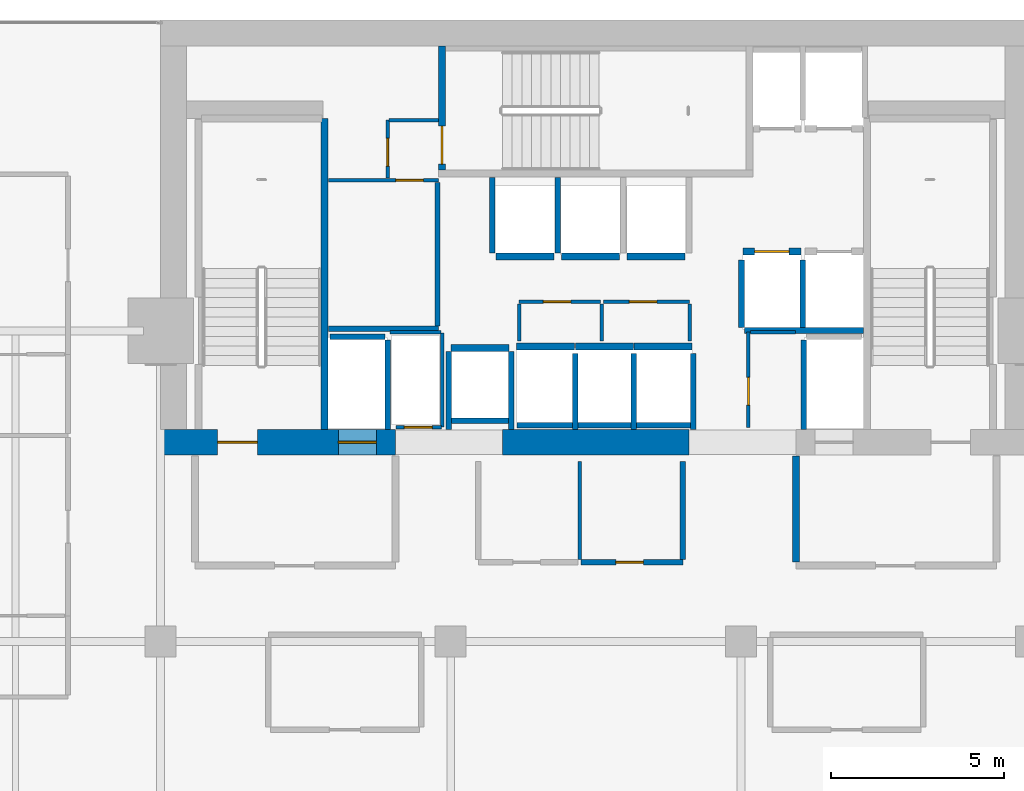
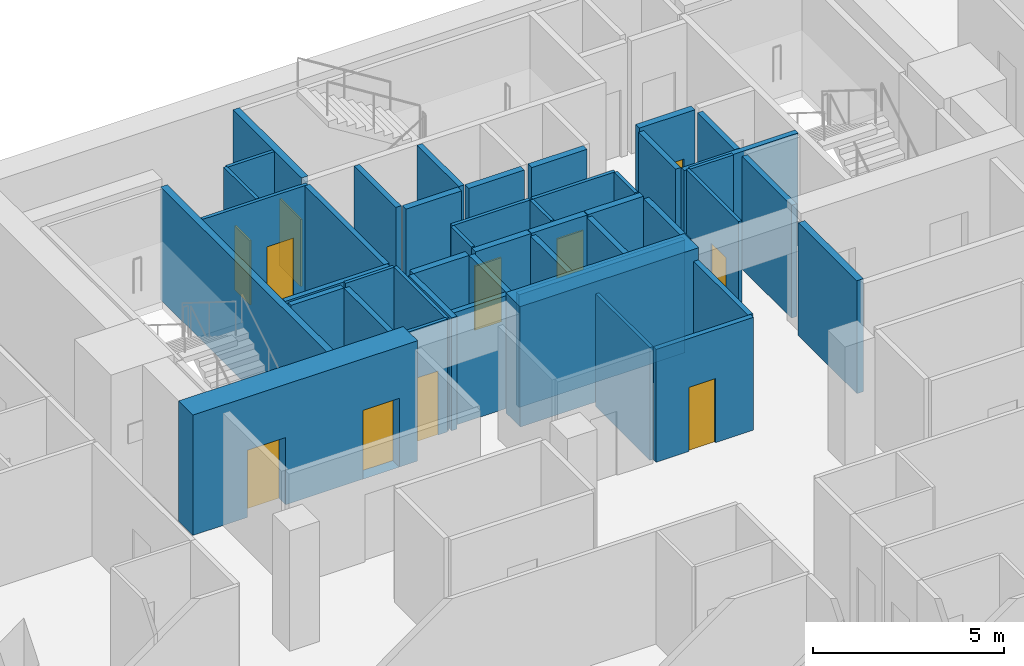
# One storey, part 30 of 34: 46 walls, 11 doors, 11 openings.
"""IFC4 building model written with IfcOpenShell, lengths in metres."""

from ifc_helpers import new_model, si_unit, direction, frame, frame_2d, origin, place, context, subcontext, project, spatial, rectangle, extrude, material, layer, layer_set, type_object, element, fill, save


model = new_model("IFC4")

# Units and contexts
model_context = context("Model", 3, precision=1e-05, world=origin(), true_north=direction((0.0, 1.0)))
body_context = subcontext(model_context, "Body", "Model", "MODEL_VIEW")
ifc_project = project(units=[si_unit("LENGTHUNIT", "METRE"), si_unit("AREAUNIT", "SQUARE_METRE"), si_unit("VOLUMEUNIT", "CUBIC_METRE"), si_unit("PLANEANGLEUNIT", "RADIAN"), si_unit("MASSUNIT", "GRAM", prefix="KILO")], contexts=[model_context])

# Site, building, storey
site_placement = place(None, origin())
site = spatial("IfcSite", under=ifc_project, at=site_placement, CompositionType="ELEMENT")
building_placement = place(site_placement, origin())
building = spatial("IfcBuilding", under=site, at=building_placement, Name="Maruvema Waterfront Hotel and Observation Tower", CompositionType="ELEMENT")
storey_placement = place(building_placement, frame((0.0, 0.0, 192.85009765625)))
storey = spatial("IfcBuildingStorey", under=building, at=storey_placement, Name="L47", CompositionType="ELEMENT", Elevation=192.85009765625)

# Walls
ifc_material_1 = material(Name="Twin-stud acoustic gypsum drywall", Category="gypsum")
ifc_layer_1 = layer(ifc_material_1, 0.14990234375, Name="Acoustic Corridor and Suite Demising Wall 150 mm")
ifc_layer_set_1 = layer_set([ifc_layer_1], Name="Twin-stud acoustic gypsum drywall")
wall_type_1 = type_object("IfcWallType", Name="Acoustic Corridor and Suite Demising Wall 150 mm", PredefinedType="PARTITIONING", material=ifc_layer_set_1)
wall_1_placement = place(storey_placement, frame((30.06005859375, 45.06005859375, 0.0), z_axis=(0.0, 0.0, 1.0), x_axis=(1.0, 0.0, 0.0)))
element("IfcWall", 1, at=wall_1_placement, inside=storey, type_object=wall_type_1, Name="L47 Freed B1 South Wall 017", PredefinedType="PARTITIONING", context=body_context, shape_type="SweptSolid", body=[
    extrude(rectangle(XDim=3.179931640625, YDim=0.14990234375, at=frame_2d((1.58984375, 0.0))), origin(), (0.0, 0.0, 1.0), 3.60986328125),
])
wall_2_placement = place(storey_placement, frame((33.219970703125, 45.139892578125, 0.0), z_axis=(0.0, 0.0, 1.0), x_axis=(0.0, 1.0, 0.0)))
element("IfcWall", 2, at=wall_2_placement, inside=storey, type_object=wall_type_1, Name="L47 Freed B1 East Wall 018", PredefinedType="PARTITIONING", context=body_context, shape_type="SweptSolid", body=[
    extrude(rectangle(XDim=4.16015625, YDim=0.14990234375, at=frame_2d((2.080078125, 0.0))), origin(), (0.0, 0.0, 1.0), 3.60986328125),
])

# Wall, opening, door
wall_3_placement = place(storey_placement, frame((37.3798828125, 38.300048828125, 0.0), z_axis=(0.0, 0.0, 1.0), x_axis=(1.0, 0.0, 0.0)))
wall_3 = element("IfcWall", 3, at=wall_3_placement, inside=storey, type_object=wall_type_1, Name="L47 Core Apron K2B South 023", PredefinedType="PARTITIONING", context=body_context, shape_type="SweptSolid", body=[
    extrude(rectangle(XDim=2.940185546875, YDim=0.14990234375, at=frame_2d((1.47021484375, 0.0))), origin(), (0.0, 0.0, 1.0), 3.60986328125),
])
opening_1_placement = place(wall_3_placement, frame((1.0, 0.0, 0.0)))
opening_1 = element("IfcOpeningElement", 4, at=opening_1_placement, cuts=wall_3, Name="Opening DR-080", PredefinedType="OPENING", context=body_context, shape_type="SweptSolid", body=[
    extrude(rectangle(XDim=0.800048828125, YDim=2.050048828125, at=frame_2d((0.39990234375, 1.02490234375))), frame((0.0, 0.0849609375, 0.0), z_axis=(0.0, -1.0, 0.0), x_axis=(1.0, 0.0, 0.0)), (0.0, 0.0, 1.0), 0.169921875),
])
ifc_material_2 = material(Name="Powder-coated steel access leaf", Category="steel")
door_type_1 = type_object("IfcDoorType", Name="Riser and Service Cupboard Door 800x2050 mm", OperationType="NOTDEFINED", PredefinedType="DOOR", material=ifc_material_2)
door_1_placement = place(opening_1_placement, frame((0.800048828125, 0.0, 0.0), z_axis=(0.0, 0.0, 1.0), x_axis=(-1.0, 0.0, 0.0)))
door_1 = element("IfcDoor", 5, at=door_1_placement, inside=storey, type_object=door_type_1, Name="L47 Core Valet Closet Door", OperationType="SINGLE_SWING_RIGHT", OverallHeight=2.050048828125, OverallWidth=0.800048828125, PredefinedType="DOOR", context=body_context, shape_type="SweptSolid", body=[
    extrude(rectangle(XDim=0.800048828125, YDim=2.050048828125, at=frame_2d((0.39990234375, 1.02490234375))), frame((0.0, 0.02490234375, 0.0), z_axis=(0.0, -1.0, 0.0), x_axis=(1.0, 0.0, 0.0)), (0.0, 0.0, 1.0), 0.050048828125),
])
fill(opening_1, door_1)

# Walls
wall_4_placement = place(storey_placement, frame((40.320068359375, 38.3798828125, 0.0), z_axis=(0.0, 0.0, 1.0), x_axis=(0.0, 1.0, 0.0)))
element("IfcWall", 6, at=wall_4_placement, inside=storey, type_object=wall_type_1, Name="L47 Core Apron K2 East 026", PredefinedType="PARTITIONING", context=body_context, shape_type="SweptSolid", body=[
    extrude(rectangle(XDim=2.840087890625, YDim=0.14990234375, at=frame_2d((1.419921875, 0.0))), origin(), (0.0, 0.0, 1.0), 3.60986328125),
])
ifc_material_3 = material(Name="Precast concrete C45/55", Category="concrete")
ifc_layer_2 = layer(ifc_material_3, 0.199951171875, Name="Core Shaft and Stairwell Enclosure Wall 200 mm")
ifc_layer_set_2 = layer_set([ifc_layer_2], Name="Precast concrete C45/55")
wall_type_2 = type_object("IfcWallType", Name="Core Shaft and Stairwell Enclosure Wall 200 mm", PredefinedType="SOLIDWALL", material=ifc_layer_set_2)
wall_5_placement = place(storey_placement, frame((29.949951171875, 42.14990234375, 0.0), z_axis=(0.0, 0.0, 1.0), x_axis=(0.0, 1.0, 0.0)))
element("IfcWall", 7, at=wall_5_placement, inside=storey, type_object=wall_type_2, Name="L47 Stairwell ST-01 East Shaft Wall", PredefinedType="SOLIDWALL", context=body_context, shape_type="SweptSolid", body=[
    extrude(rectangle(XDim=9.0, YDim=0.199951171875, at=frame_2d((4.5, 0.0))), origin(), (0.0, 0.0, 1.0), 3.60986328125),
])

# Wall, opening, door
wall_6_placement = place(storey_placement, frame((33.35009765625, 49.64990234375, 0.0), z_axis=(0.0, 0.0, 1.0), x_axis=(0.0, 1.0, 0.0)))
wall_6 = element("IfcWall", 8, at=wall_6_placement, inside=storey, type_object=wall_type_2, Name="L47 Stairwell ST-02 Shaft Wall", PredefinedType="SOLIDWALL", context=body_context, shape_type="SweptSolid", body=[
    extrude(rectangle(XDim=3.60009765625, YDim=0.199951171875, at=frame_2d((1.800048828125, 0.0))), origin(), (0.0, 0.0, 1.0), 3.60986328125),
])
opening_2_placement = place(wall_6_placement, frame((0.179931640625, 0.0, 0.0)))
opening_2 = element("IfcOpeningElement", 9, at=opening_2_placement, cuts=wall_6, Name="Opening SD-02", PredefinedType="OPENING", context=body_context, shape_type="SweptSolid", body=[
    extrude(rectangle(XDim=1.10009765625, YDim=2.14990234375, at=frame_2d((0.550048828125, 1.074951171875))), frame((0.0, 0.10986328125, 0.0), z_axis=(0.0, -1.0, 0.0), x_axis=(1.0, 0.0, 0.0)), (0.0, 0.0, 1.0), 0.219970703125),
])
ifc_material_4 = material(Name="Fire-rated galvanised steel leaf", Category="steel")
door_type_2 = type_object("IfcDoorType", Name="Central Exit Stair Fire Door 1100x2150 mm", OperationType="NOTDEFINED", PredefinedType="DOOR", material=ifc_material_4)
door_2_placement = place(opening_2_placement, frame((1.10009765625, 0.0, 0.0), z_axis=(0.0, 0.0, 1.0), x_axis=(-1.0, 0.0, 0.0)))
door_2 = element("IfcDoor", 10, at=door_2_placement, inside=storey, type_object=door_type_2, Name="L47 Exit Stair ST-02 Fire Door", OperationType="SINGLE_SWING_LEFT", OverallHeight=2.14990234375, OverallWidth=1.10009765625, PredefinedType="DOOR", context=body_context, shape_type="SweptSolid", body=[
    extrude(rectangle(XDim=1.10009765625, YDim=2.14990234375, at=frame_2d((0.550048828125, 1.074951171875))), frame((0.0, 0.02490234375, 0.0), z_axis=(0.0, -1.0, 0.0), x_axis=(1.0, 0.0, 0.0)), (0.0, 0.0, 1.0), 0.050048828125),
])
fill(opening_2, door_2)

wall_7_placement = place(storey_placement, frame((42.06005859375, 47.300048828125, 0.0), z_axis=(0.0, 0.0, 1.0), x_axis=(1.0, 0.0, 0.0)))
wall_7 = element("IfcWall", 11, at=wall_7_placement, inside=storey, type_object=wall_type_2, Name="L47 Lift LF-05 Hoistway Front Wall", PredefinedType="SOLIDWALL", context=body_context, shape_type="SweptSolid", body=[
    extrude(rectangle(XDim=1.679931640625, YDim=0.199951171875, at=frame_2d((0.83984375, 0.0))), origin(), (0.0, 0.0, 1.0), 3.60986328125),
])
opening_3_placement = place(wall_7_placement, frame((0.340087890625, 0.0, 0.0)))
opening_3 = element("IfcOpeningElement", 12, at=opening_3_placement, cuts=wall_7, Name="Opening LD-01", PredefinedType="OPENING", context=body_context, shape_type="SweptSolid", body=[
    extrude(rectangle(XDim=1.0, YDim=2.14990234375, at=frame_2d((0.5, 1.074951171875))), frame((0.0, 0.10986328125, 0.0), z_axis=(0.0, -1.0, 0.0), x_axis=(1.0, 0.0, 0.0)), (0.0, 0.0, 1.0), 0.219970703125),
])
ifc_material_5 = material(Name="Brushed stainless steel Grade 316", Category="steel")
door_type_3 = type_object("IfcDoorType", Name="Passenger Lift Sliding Landing Door 1000x2150 mm", OperationType="SLIDING_TO_LEFT", PredefinedType="DOOR", material=ifc_material_5)
door_3_placement = place(opening_3_placement, origin())
door_3 = element("IfcDoor", 13, at=door_3_placement, inside=storey, type_object=door_type_3, Name="L47 Lift LF-05 Sliding Landing Door", OperationType="SLIDING_TO_LEFT", OverallHeight=2.14990234375, OverallWidth=1.0, PredefinedType="DOOR", context=body_context, shape_type="SweptSolid", body=[
    extrude(rectangle(XDim=1.0, YDim=2.14990234375, at=frame_2d((0.5, 1.074951171875))), frame((0.0, 0.02490234375, 0.0), z_axis=(0.0, -1.0, 0.0), x_axis=(1.0, 0.0, 0.0)), (0.0, 0.0, 1.0), 0.050048828125),
])
fill(opening_3, door_3)

# Walls
for number, where, z_axis, x_axis, name in (
    (14, (35.510009765625, 44.550048828125, 0.0), (0.0, 0.0, 1.0), (1.0, 0.0, 0.0), "L47 Lift LF-09 Hoistway Front Wall"),
    (15, (37.2099609375, 44.550048828125, 0.0), (0.0, 0.0, 1.0), (1.0, 0.0, 0.0), "L47 Lift LF-10 Hoistway Front Wall"),
):
    element("IfcWall", number, at=place(storey_placement, frame(where, z_axis=z_axis, x_axis=x_axis)), inside=storey, type_object=wall_type_2, Name=name, PredefinedType="SOLIDWALL", context=body_context, shape_type="SweptSolid", body=[
        extrude(rectangle(XDim=1.679931640625, YDim=0.199951171875, at=frame_2d((0.83984375, 0.0))), origin(), (0.0, 0.0, 1.0), 3.60986328125),
    ])
for number, where, z_axis, x_axis, name in (
    (16, (38.909912109375, 44.550048828125, 0.0), (0.0, 0.0, 1.0), (1.0, 0.0, 0.0), "L47 Lift LF-11 Hoistway Front Wall"),
    (17, (34.909912109375, 47.14990234375, 0.0), (0.0, 0.0, 1.0), (1.0, 0.0, 0.0), "L47 Lift LF-12 Hoistway Front Wall"),
):
    element("IfcWall", number, at=place(storey_placement, frame(where, z_axis=z_axis, x_axis=x_axis)), inside=storey, type_object=wall_type_2, Name=name, PredefinedType="SOLIDWALL", context=body_context, shape_type="SweptSolid", body=[
        extrude(rectangle(XDim=1.68017578125, YDim=0.199951171875, at=frame_2d((0.840087890625, 0.0))), origin(), (0.0, 0.0, 1.0), 3.60986328125),
    ])
for number, where, z_axis, x_axis, name in (
    (18, (36.81005859375, 47.14990234375, 0.0), (0.0, 0.0, 1.0), (1.0, 0.0, 0.0), "L47 Lift LF-13 Hoistway Front Wall"),
    (19, (38.7099609375, 47.14990234375, 0.0), (0.0, 0.0, 1.0), (1.0, 0.0, 0.0), "L47 Lift LF-14 Hoistway Front Wall"),
    (20, (33.610107421875, 44.5, 0.0), (0.0, 0.0, 1.0), (1.0, 0.0, 0.0), "L47 Lift LF-15 Hoistway Front Wall"),
):
    element("IfcWall", number, at=place(storey_placement, frame(where, z_axis=z_axis, x_axis=x_axis)), inside=storey, type_object=wall_type_2, Name=name, PredefinedType="SOLIDWALL", context=body_context, shape_type="SweptSolid", body=[
        extrude(rectangle(XDim=1.679931640625, YDim=0.199951171875, at=frame_2d((0.83984375, 0.0))), origin(), (0.0, 0.0, 1.0), 3.60986328125),
    ])

# Wall, openings, doors
ifc_material_6 = material(Name="Concrete C70/85", Category="concrete")
ifc_layer_3 = layer(ifc_material_6, 0.75, Name="Core Shear Wall 750 mm")
ifc_layer_set_3 = layer_set([ifc_layer_3], Name="Concrete C70/85")
wall_type_3 = type_object("IfcWallType", Name="Core Shear Wall 750 mm", PredefinedType="SHEAR", material=ifc_layer_set_3)
wall_8_placement = place(storey_placement, frame((25.199951171875, 41.77490234375, 0.0), z_axis=(0.0, 0.0, 1.0), x_axis=(1.0, 0.0, 0.0)))
wall_8 = element("IfcWall", 21, at=wall_8_placement, inside=storey, type_object=wall_type_3, Name="L47 South-West Core Shear Wall", PredefinedType="SHEAR", context=body_context, shape_type="SweptSolid", body=[
    extrude(rectangle(XDim=6.800048828125, YDim=0.75, at=frame_2d((3.39990234375, 0.0))), origin(), (0.0, 0.0, 1.0), 3.849853515625),
])
opening_4_placement = place(wall_8_placement, frame((1.64990234375, 0.0, 0.0)))
opening_4 = element("IfcOpeningElement", 22, at=opening_4_placement, cuts=wall_8, Name="Opening SD-01", PredefinedType="OPENING", context=body_context, shape_type="SweptSolid", body=[
    extrude(rectangle(XDim=1.14990234375, YDim=2.14990234375, at=frame_2d((0.574951171875, 1.074951171875))), frame((0.0, 0.385009765625, 0.0), z_axis=(0.0, -1.0, 0.0), x_axis=(1.0, 0.0, 0.0)), (0.0, 0.0, 1.0), 0.77001953125),
])
opening_5_placement = place(wall_8_placement, frame((5.14990234375, 0.0, 0.0)))
opening_5 = element("IfcOpeningElement", 23, at=opening_5_placement, cuts=wall_8, Name="Opening LD-03", PredefinedType="OPENING", context=body_context, shape_type="SweptSolid", body=[
    extrude(rectangle(XDim=1.10009765625, YDim=2.199951171875, at=frame_2d((0.550048828125, 1.10009765625))), frame((0.0, 0.385009765625, 0.0), z_axis=(0.0, -1.0, 0.0), x_axis=(1.0, 0.0, 0.0)), (0.0, 0.0, 1.0), 0.77001953125),
])
ifc_material_7 = material(Name="Fire-rated galvanised steel leaf", Category="steel")
door_type_4 = type_object("IfcDoorType", Name="Exit Stair Fire Door 1150x2150 mm", OperationType="NOTDEFINED", PredefinedType="DOOR", material=ifc_material_7)
door_4_placement = place(opening_4_placement, origin())
door_4 = element("IfcDoor", 24, at=door_4_placement, inside=storey, type_object=door_type_4, Name="L47 Exit Stair ST-01 Fire Door", OperationType="SINGLE_SWING_LEFT", OverallHeight=2.14990234375, OverallWidth=1.14990234375, PredefinedType="DOOR", context=body_context, shape_type="SweptSolid", body=[
    extrude(rectangle(XDim=1.14990234375, YDim=2.14990234375, at=frame_2d((0.574951171875, 1.074951171875))), frame((0.0, 0.02490234375, 0.0), z_axis=(0.0, -1.0, 0.0), x_axis=(1.0, 0.0, 0.0)), (0.0, 0.0, 1.0), 0.050048828125),
])
fill(opening_4, door_4)
ifc_material_8 = material(Name="Brushed stainless steel Grade 316", Category="steel")
door_type_5 = type_object("IfcDoorType", Name="Firefighting Lift Sliding Landing Door 1100x2200 mm", OperationType="SLIDING_TO_LEFT", PredefinedType="DOOR", material=ifc_material_8)
door_5_placement = place(opening_5_placement, frame((1.10009765625, 0.0, 0.0), z_axis=(0.0, 0.0, 1.0), x_axis=(-1.0, 0.0, 0.0)))
door_5 = element("IfcDoor", 25, at=door_5_placement, inside=storey, type_object=door_type_5, Name="L47 Firefighting Lift FL-01 Landing Door", OperationType="SLIDING_TO_LEFT", OverallHeight=2.199951171875, OverallWidth=1.10009765625, PredefinedType="DOOR", context=body_context, shape_type="SweptSolid", body=[
    extrude(rectangle(XDim=1.10009765625, YDim=2.199951171875, at=frame_2d((0.550048828125, 1.10009765625))), frame((0.0, 0.02490234375, 0.0), z_axis=(0.0, -1.0, 0.0), x_axis=(1.0, 0.0, 0.0)), (0.0, 0.0, 1.0), 0.050048828125),
])
fill(opening_5, door_5)

# Wall
wall_9_placement = place(storey_placement, frame((35.10009765625, 41.77490234375, 0.0), z_axis=(0.0, 0.0, 1.0), x_axis=(1.0, 0.0, 0.0)))
element("IfcWall", 26, at=wall_9_placement, inside=storey, type_object=wall_type_3, Name="L47 South-Central Core Shear Wall", PredefinedType="SHEAR", context=body_context, shape_type="SweptSolid", body=[
    extrude(rectangle(XDim=5.39990234375, YDim=0.75, at=frame_2d((2.699951171875, 0.0))), origin(), (0.0, 0.0, 1.0), 3.849853515625),
])

# Wall, opening, door
ifc_material_9 = material(Name="Moisture-resistant cement-board drywall", Category="gypsum")
ifc_layer_4 = layer(ifc_material_9, 0.10009765625, Name="En-Suite Moisture-Resistant Partition 100 mm")
ifc_layer_set_4 = layer_set([ifc_layer_4], Name="Moisture-resistant cement-board drywall")
wall_type_4 = type_object("IfcWallType", Name="En-Suite Moisture-Resistant Partition 100 mm", PredefinedType="PARTITIONING", material=ifc_layer_set_4)
wall_10_placement = place(storey_placement, frame((32.02001953125, 42.2099609375, 0.0), z_axis=(0.0, 0.0, 1.0), x_axis=(1.0, 0.0, 0.0)))
wall_10 = element("IfcWall", 27, at=wall_10_placement, inside=storey, type_object=wall_type_4, Name="L47 Telecom Riser South Wall 007", PredefinedType="PARTITIONING", context=body_context, shape_type="SweptSolid", body=[
    extrude(rectangle(XDim=1.320068359375, YDim=0.10009765625, at=frame_2d((0.66015625, 0.0))), origin(), (0.0, 0.0, 1.0), 3.60986328125),
])
opening_6_placement = place(wall_10_placement, frame((0.239990234375, 0.0, 0.0)))
opening_6 = element("IfcOpeningElement", 28, at=opening_6_placement, cuts=wall_10, Name="Opening DR-080", PredefinedType="OPENING", context=body_context, shape_type="SweptSolid", body=[
    extrude(rectangle(XDim=0.800048828125, YDim=2.050048828125, at=frame_2d((0.39990234375, 1.02490234375))), frame((0.0, 0.06005859375, 0.0), z_axis=(0.0, -1.0, 0.0), x_axis=(1.0, 0.0, 0.0)), (0.0, 0.0, 1.0), 0.1201171875),
])
door_6_placement = place(opening_6_placement, frame((0.800048828125, 0.0, 0.0), z_axis=(0.0, 0.0, 1.0), x_axis=(-1.0, 0.0, 0.0)))
door_6 = element("IfcDoor", 29, at=door_6_placement, inside=storey, type_object=door_type_1, Name="L47 Telecom Riser Door", OperationType="SINGLE_SWING_LEFT", OverallHeight=2.050048828125, OverallWidth=0.800048828125, PredefinedType="DOOR", context=body_context, shape_type="SweptSolid", body=[
    extrude(rectangle(XDim=0.800048828125, YDim=2.050048828125, at=frame_2d((0.39990234375, 1.02490234375))), frame((0.0, 0.02490234375, 0.0), z_axis=(0.0, -1.0, 0.0), x_axis=(1.0, 0.0, 0.0)), (0.0, 0.0, 1.0), 0.050048828125),
])
fill(opening_6, door_6)

# Walls
wall_11_placement = place(storey_placement, frame((31.840087890625, 44.9599609375, 0.0), z_axis=(0.0, 0.0, 1.0), x_axis=(1.0, 0.0, 0.0)))
element("IfcWall", 30, at=wall_11_placement, inside=storey, type_object=wall_type_4, Name="L47 Telecom Riser North Wall 008", PredefinedType="PARTITIONING", context=body_context, shape_type="SweptSolid", body=[
    extrude(rectangle(XDim=1.47998046875, YDim=0.10009765625, at=frame_2d((0.739990234375, 0.0))), origin(), (0.0, 0.0, 1.0), 3.60986328125),
])
wall_12_placement = place(storey_placement, frame((33.360107421875, 42.2099609375, 0.0), z_axis=(0.0, 0.0, 1.0), x_axis=(0.0, 1.0, 0.0)))
element("IfcWall", 31, at=wall_12_placement, inside=storey, type_object=wall_type_4, Name="L47 Telecom Riser East Wall 009", PredefinedType="PARTITIONING", context=body_context, shape_type="SweptSolid", body=[
    extrude(rectangle(XDim=2.72998046875, YDim=0.10009765625, at=frame_2d((1.364990234375, 0.0))), origin(), (0.0, 0.0, 1.0), 3.60986328125),
])

# Wall, opening, door
wall_13_placement = place(storey_placement, frame((35.580078125, 45.840087890625, 0.0), z_axis=(0.0, 0.0, 1.0), x_axis=(1.0, 0.0, 0.0)))
wall_13 = element("IfcWall", 32, at=wall_13_placement, inside=storey, type_object=wall_type_4, Name="L47 Core Closet K2A North 010", PredefinedType="PARTITIONING", context=body_context, shape_type="SweptSolid", body=[
    extrude(rectangle(XDim=2.35986328125, YDim=0.10009765625, at=frame_2d((1.179931640625, 0.0))), origin(), (0.0, 0.0, 1.0), 3.60986328125),
])
opening_7_placement = place(wall_13_placement, frame((0.699951171875, 0.0, 0.0)))
opening_7 = element("IfcOpeningElement", 33, at=opening_7_placement, cuts=wall_13, Name="Opening DR-080", PredefinedType="OPENING", context=body_context, shape_type="SweptSolid", body=[
    extrude(rectangle(XDim=0.800048828125, YDim=2.050048828125, at=frame_2d((0.39990234375, 1.02490234375))), frame((0.0, 0.06005859375, 0.0), z_axis=(0.0, -1.0, 0.0), x_axis=(1.0, 0.0, 0.0)), (0.0, 0.0, 1.0), 0.1201171875),
])
door_7_placement = place(opening_7_placement, origin())
door_7 = element("IfcDoor", 34, at=door_7_placement, inside=storey, type_object=door_type_1, Name="L47 Core IT Closet Door", OperationType="SINGLE_SWING_RIGHT", OverallHeight=2.050048828125, OverallWidth=0.800048828125, PredefinedType="DOOR", context=body_context, shape_type="SweptSolid", body=[
    extrude(rectangle(XDim=0.800048828125, YDim=2.050048828125, at=frame_2d((0.39990234375, 1.02490234375))), frame((0.0, 0.02490234375, 0.0), z_axis=(0.0, -1.0, 0.0), x_axis=(1.0, 0.0, 0.0)), (0.0, 0.0, 1.0), 0.050048828125),
])
fill(opening_7, door_7)

wall_14_placement = place(storey_placement, frame((38.02001953125, 45.840087890625, 0.0), z_axis=(0.0, 0.0, 1.0), x_axis=(1.0, 0.0, 0.0)))
wall_14 = element("IfcWall", 35, at=wall_14_placement, inside=storey, type_object=wall_type_4, Name="L47 Core Closet K2B North 011", PredefinedType="PARTITIONING", context=body_context, shape_type="SweptSolid", body=[
    extrude(rectangle(XDim=2.5, YDim=0.10009765625, at=frame_2d((1.25, 0.0))), origin(), (0.0, 0.0, 1.0), 3.60986328125),
])
opening_8_placement = place(wall_14_placement, frame((0.75, 0.0, 0.0)))
opening_8 = element("IfcOpeningElement", 36, at=opening_8_placement, cuts=wall_14, Name="Opening DR-080", PredefinedType="OPENING", context=body_context, shape_type="SweptSolid", body=[
    extrude(rectangle(XDim=0.800048828125, YDim=2.050048828125, at=frame_2d((0.39990234375, 1.02490234375))), frame((0.0, 0.06005859375, 0.0), z_axis=(0.0, -1.0, 0.0), x_axis=(1.0, 0.0, 0.0)), (0.0, 0.0, 1.0), 0.1201171875),
])
door_8_placement = place(opening_8_placement, origin())
door_8 = element("IfcDoor", 37, at=door_8_placement, inside=storey, type_object=door_type_1, Name="L47 Core Linen Cupboard Door", OperationType="SINGLE_SWING_LEFT", OverallHeight=2.050048828125, OverallWidth=0.800048828125, PredefinedType="DOOR", context=body_context, shape_type="SweptSolid", body=[
    extrude(rectangle(XDim=0.800048828125, YDim=2.050048828125, at=frame_2d((0.39990234375, 1.02490234375))), frame((0.0, 0.02490234375, 0.0), z_axis=(0.0, -1.0, 0.0), x_axis=(1.0, 0.0, 0.0)), (0.0, 0.0, 1.0), 0.050048828125),
])
fill(opening_8, door_8)

# Walls
for number, where, z_axis, x_axis, name in (
    (38, (35.580078125, 44.699951171875, 0.0), (0.0, 0.0, 1.0), (0.0, 1.0, 0.0), "L47 Core Closet K2 West 012"),
    (39, (37.97998046875, 44.699951171875, 0.0), (0.0, 0.0, 1.0), (0.0, 1.0, 0.0), "L47 Core Closet K2 Mid 013"),
    (40, (40.52001953125, 44.699951171875, 0.0), (0.0, 0.0, 1.0), (0.0, 1.0, 0.0), "L47 Core Closet K2 East 014"),
):
    element("IfcWall", number, at=place(storey_placement, frame(where, z_axis=z_axis, x_axis=x_axis)), inside=storey, type_object=wall_type_4, Name=name, PredefinedType="PARTITIONING", context=body_context, shape_type="SweptSolid", body=[
        extrude(rectangle(XDim=1.080078125, YDim=0.10009765625, at=frame_2d((0.5400390625, 0.0))), origin(), (0.0, 0.0, 1.0), 3.60986328125),
    ])

# Wall, opening, door
wall_15_placement = place(storey_placement, frame((42.219970703125, 42.199951171875, 0.0), z_axis=(0.0, 0.0, 1.0), x_axis=(0.0, 1.0, 0.0)))
wall_15 = element("IfcWall", 41, at=wall_15_placement, inside=storey, type_object=wall_type_4, Name="L47 Core Closet K2C West 015", PredefinedType="PARTITIONING", context=body_context, shape_type="SweptSolid", body=[
    extrude(rectangle(XDim=2.760009765625, YDim=0.10009765625, at=frame_2d((1.3798828125, 0.0))), origin(), (0.0, 0.0, 1.0), 3.60986328125),
])
opening_9_placement = place(wall_15_placement, frame((0.64990234375, 0.0, 0.0)))
opening_9 = element("IfcOpeningElement", 42, at=opening_9_placement, cuts=wall_15, Name="Opening DR-080", PredefinedType="OPENING", context=body_context, shape_type="SweptSolid", body=[
    extrude(rectangle(XDim=0.800048828125, YDim=2.050048828125, at=frame_2d((0.39990234375, 1.02490234375))), frame((0.0, 0.06005859375, 0.0), z_axis=(0.0, -1.0, 0.0), x_axis=(1.0, 0.0, 0.0)), (0.0, 0.0, 1.0), 0.1201171875),
])
door_9_placement = place(opening_9_placement, frame((0.800048828125, 0.0, 0.0), z_axis=(0.0, 0.0, 1.0), x_axis=(-1.0, 0.0, 0.0)))
door_9 = element("IfcDoor", 43, at=door_9_placement, inside=storey, type_object=door_type_1, Name="L47 Core Housekeeping Closet Door", OperationType="SINGLE_SWING_RIGHT", OverallHeight=2.050048828125, OverallWidth=0.800048828125, PredefinedType="DOOR", context=body_context, shape_type="SweptSolid", body=[
    extrude(rectangle(XDim=0.800048828125, YDim=2.050048828125, at=frame_2d((0.39990234375, 1.02490234375))), frame((0.0, 0.02490234375, 0.0), z_axis=(0.0, -1.0, 0.0), x_axis=(1.0, 0.0, 0.0)), (0.0, 0.0, 1.0), 0.050048828125),
])
fill(opening_9, door_9)

# Wall
wall_16_placement = place(storey_placement, frame((42.280029296875, 44.9599609375, 0.0), z_axis=(0.0, 0.0, 1.0), x_axis=(1.0, 0.0, 0.0)))
element("IfcWall", 44, at=wall_16_placement, inside=storey, type_object=wall_type_4, Name="L47 Core Closet K2C North 016", PredefinedType="PARTITIONING", context=body_context, shape_type="SweptSolid", body=[
    extrude(rectangle(XDim=1.300048828125, YDim=0.10009765625, at=frame_2d((0.64990234375, 0.0))), origin(), (0.0, 0.0, 1.0), 3.60986328125),
])

# Wall, opening, door
wall_17_placement = place(storey_placement, frame((30.06005859375, 49.360107421875, 0.0), z_axis=(0.0, 0.0, 1.0), x_axis=(1.0, 0.0, 0.0)))
wall_17 = element("IfcWall", 45, at=wall_17_placement, inside=storey, type_object=wall_type_4, Name="L47 Freed B1 Mid Wall 019", PredefinedType="PARTITIONING", context=body_context, shape_type="SweptSolid", body=[
    extrude(rectangle(XDim=3.179931640625, YDim=0.10009765625, at=frame_2d((1.58984375, 0.0))), origin(), (0.0, 0.0, 1.0), 3.60986328125),
])
opening_10_placement = place(wall_17_placement, frame((1.949951171875, 0.0, 0.0)))
opening_10 = element("IfcOpeningElement", 46, at=opening_10_placement, cuts=wall_17, Name="Opening DR-080", PredefinedType="OPENING", context=body_context, shape_type="SweptSolid", body=[
    extrude(rectangle(XDim=0.800048828125, YDim=2.050048828125, at=frame_2d((0.39990234375, 1.02490234375))), frame((0.0, 0.06005859375, 0.0), z_axis=(0.0, -1.0, 0.0), x_axis=(1.0, 0.0, 0.0)), (0.0, 0.0, 1.0), 0.1201171875),
])
door_10_placement = place(opening_10_placement, origin())
door_10 = element("IfcDoor", 47, at=door_10_placement, inside=storey, type_object=door_type_1, Name="L47 Housekeeping and Linen Room Door", OperationType="SINGLE_SWING_LEFT", OverallHeight=2.050048828125, OverallWidth=0.800048828125, PredefinedType="DOOR", context=body_context, shape_type="SweptSolid", body=[
    extrude(rectangle(XDim=0.800048828125, YDim=2.050048828125, at=frame_2d((0.39990234375, 1.02490234375))), frame((0.0, 0.02490234375, 0.0), z_axis=(0.0, -1.0, 0.0), x_axis=(1.0, 0.0, 0.0)), (0.0, 0.0, 1.0), 0.050048828125),
])
fill(opening_10, door_10)

wall_18_placement = place(storey_placement, frame((31.780029296875, 49.419921875, 0.0), z_axis=(0.0, 0.0, 1.0), x_axis=(0.0, 1.0, 0.0)))
wall_18 = element("IfcWall", 48, at=wall_18_placement, inside=storey, type_object=wall_type_4, Name="L47 Freed B1 NW East Wall 020", PredefinedType="PARTITIONING", context=body_context, shape_type="SweptSolid", body=[
    extrude(rectangle(XDim=1.68017578125, YDim=0.10009765625, at=frame_2d((0.840087890625, 0.0))), origin(), (0.0, 0.0, 1.0), 3.60986328125),
])
opening_11_placement = place(wall_18_placement, frame((0.35009765625, 0.0, 0.0)))
opening_11 = element("IfcOpeningElement", 49, at=opening_11_placement, cuts=wall_18, Name="Opening DR-080", PredefinedType="OPENING", context=body_context, shape_type="SweptSolid", body=[
    extrude(rectangle(XDim=0.800048828125, YDim=2.050048828125, at=frame_2d((0.39990234375, 1.02490234375))), frame((0.0, 0.06005859375, 0.0), z_axis=(0.0, -1.0, 0.0), x_axis=(1.0, 0.0, 0.0)), (0.0, 0.0, 1.0), 0.1201171875),
])
door_11_placement = place(opening_11_placement, origin())
door_11 = element("IfcDoor", 50, at=door_11_placement, inside=storey, type_object=door_type_1, Name="L47 Guest Floor Pantry Door", OperationType="SINGLE_SWING_RIGHT", OverallHeight=2.050048828125, OverallWidth=0.800048828125, PredefinedType="DOOR", context=body_context, shape_type="SweptSolid", body=[
    extrude(rectangle(XDim=0.800048828125, YDim=2.050048828125, at=frame_2d((0.39990234375, 1.02490234375))), frame((0.0, 0.02490234375, 0.0), z_axis=(0.0, -1.0, 0.0), x_axis=(1.0, 0.0, 0.0)), (0.0, 0.0, 1.0), 0.050048828125),
])
fill(opening_11, door_11)

# Walls
wall_19_placement = place(storey_placement, frame((31.820068359375, 51.10009765625, 0.0), z_axis=(0.0, 0.0, 1.0), x_axis=(1.0, 0.0, 0.0)))
element("IfcWall", 51, at=wall_19_placement, inside=storey, type_object=wall_type_4, Name="L47 Freed B1 Vestibule North Wall 021", PredefinedType="PARTITIONING", context=body_context, shape_type="SweptSolid", body=[
    extrude(rectangle(XDim=1.419921875, YDim=0.10009765625, at=frame_2d((0.7099609375, 0.0))), origin(), (0.0, 0.0, 1.0), 3.60986328125),
])
wall_20_placement = place(storey_placement, frame((37.330078125, 38.3798828125, 0.0), z_axis=(0.0, 0.0, 1.0), x_axis=(0.0, 1.0, 0.0)))
element("IfcWall", 52, at=wall_20_placement, inside=storey, type_object=wall_type_4, Name="L47 Core Apron K2 Split 025", PredefinedType="PARTITIONING", context=body_context, shape_type="SweptSolid", body=[
    extrude(rectangle(XDim=2.840087890625, YDim=0.10009765625, at=frame_2d((1.419921875, 0.0))), origin(), (0.0, 0.0, 1.0), 3.60986328125),
])
ifc_material_10 = material(Name="Autoclaved cellular concrete blockwork", Category="masonry")
ifc_layer_5 = layer(ifc_material_10, 0.199951171875, Name="Fire Compartment Masonry Wall 200 mm")
ifc_layer_set_5 = layer_set([ifc_layer_5], Name="Autoclaved cellular concrete blockwork")
wall_type_5 = type_object("IfcWallType", Name="Fire Compartment Masonry Wall 200 mm", PredefinedType="PARTITIONING", material=ifc_layer_set_5)
wall_21_placement = place(storey_placement, frame((43.60009765625, 38.31005859375, 0.0), z_axis=(0.0, 0.0, 1.0), x_axis=(0.0, 1.0, 0.0)))
element("IfcWall", 53, at=wall_21_placement, inside=storey, type_object=wall_type_5, Name="L47 FFL East West Wall 005", PredefinedType="PARTITIONING", context=body_context, shape_type="SweptSolid", body=[
    extrude(rectangle(XDim=3.06982421875, YDim=0.199951171875, at=frame_2d((1.534912109375, 0.0))), origin(), (0.0, 0.0, 1.0), 3.60986328125),
])
ifc_material_11 = material(Name="Precast concrete C45/55", Category="concrete")
ifc_layer_6 = layer(ifc_material_11, 0.159912109375, Name="Lift Hoistway Divider Wall 160 mm")
ifc_layer_set_6 = layer_set([ifc_layer_6], Name="Precast concrete C45/55")
wall_type_6 = type_object("IfcWallType", Name="Lift Hoistway Divider Wall 160 mm", PredefinedType="SOLIDWALL", material=ifc_layer_set_6)
wall_22_placement = place(storey_placement, frame((30.10009765625, 44.830078125, 0.0), z_axis=(0.0, 0.0, 1.0), x_axis=(1.0, 0.0, 0.0)))
element("IfcWall", 54, at=wall_22_placement, inside=storey, type_object=wall_type_6, Name="L47 Lift FL-01 Rear Hoistway Wall", PredefinedType="SOLIDWALL", context=body_context, shape_type="SweptSolid", body=[
    extrude(rectangle(XDim=1.599853515625, YDim=0.159912109375, at=frame_2d((0.7998046875, 0.0))), origin(), (0.0, 0.0, 1.0), 3.60986328125),
])
for number, where, z_axis, x_axis, name in (
    (55, (31.780029296875, 42.14990234375, 0.0), (0.0, 0.0, 1.0), (0.0, 1.0, 0.0), "L47 Lift FL-01 Inner Hoistway Wall"),
    (56, (43.820068359375, 42.14990234375, 0.0), (0.0, 0.0, 1.0), (0.0, 1.0, 0.0), "L47 Lift FL-02 Inner Hoistway Wall"),
):
    element("IfcWall", number, at=place(storey_placement, frame(where, z_axis=z_axis, x_axis=x_axis)), inside=storey, type_object=wall_type_6, Name=name, PredefinedType="SOLIDWALL", context=body_context, shape_type="SweptSolid", body=[
        extrude(rectangle(XDim=2.590087890625, YDim=0.159912109375, at=frame_2d((1.294921875, 0.0))), origin(), (0.0, 0.0, 1.0), 3.60986328125),
    ])
for number, where, z_axis, x_axis, name in (
    (57, (42.02001953125, 45.10009765625, 0.0), (0.0, 0.0, 1.0), (0.0, 1.0, 0.0), "L47 Hoistway Divider Wall"),
    (58, (43.800048828125, 45.10009765625, 0.0), (0.0, 0.0, 1.0), (0.0, 1.0, 0.0), "L47 Hoistway Divider Wall"),
):
    element("IfcWall", number, at=place(storey_placement, frame(where, z_axis=z_axis, x_axis=x_axis)), inside=storey, type_object=wall_type_6, Name=name, PredefinedType="SOLIDWALL", context=body_context, shape_type="SweptSolid", body=[
        extrude(rectangle(XDim=1.949951171875, YDim=0.159912109375, at=frame_2d((0.97509765625, 0.0))), origin(), (0.0, 0.0, 1.0), 3.60986328125),
    ])
wall_23_placement = place(storey_placement, frame((42.10009765625, 45.010009765625, 0.0), z_axis=(0.0, 0.0, 1.0), x_axis=(1.0, 0.0, 0.0)))
element("IfcWall", 59, at=wall_23_placement, inside=storey, type_object=wall_type_6, Name="L47 Hoistway Divider Wall", PredefinedType="SOLIDWALL", context=body_context, shape_type="SweptSolid", body=[
    extrude(rectangle(XDim=3.449951171875, YDim=0.159912109375, at=frame_2d((1.72509765625, 0.0))), origin(), (0.0, 0.0, 1.0), 3.60986328125),
])
for number, where, z_axis, x_axis, name in (
    (60, (37.199951171875, 42.14990234375, 0.0), (0.0, 0.0, 1.0), (0.0, 1.0, 0.0), "L47 Hoistway Divider Wall"),
    (61, (38.89990234375, 42.14990234375, 0.0), (0.0, 0.0, 1.0), (0.0, 1.0, 0.0), "L47 Hoistway Divider Wall"),
    (62, (40.6201171875, 42.14990234375, 0.0), (0.0, 0.0, 1.0), (0.0, 1.0, 0.0), "L47 Hoistway Divider Wall"),
):
    element("IfcWall", number, at=place(storey_placement, frame(where, z_axis=z_axis, x_axis=x_axis)), inside=storey, type_object=wall_type_6, Name=name, PredefinedType="SOLIDWALL", context=body_context, shape_type="SweptSolid", body=[
        extrude(rectangle(XDim=2.2001953125, YDim=0.159912109375, at=frame_2d((1.10009765625, 0.0))), origin(), (0.0, 0.0, 1.0), 3.60986328125),
    ])
wall_24_placement = place(storey_placement, frame((35.52001953125, 42.260009765625, 0.0), z_axis=(0.0, 0.0, 1.0), x_axis=(1.0, 0.0, 0.0)))
element("IfcWall", 63, at=wall_24_placement, inside=storey, type_object=wall_type_6, Name="L47 Hoistway Divider Wall", PredefinedType="SOLIDWALL", context=body_context, shape_type="SweptSolid", body=[
    extrude(rectangle(XDim=5.02001953125, YDim=0.159912109375, at=frame_2d((2.510009765625, 0.0))), origin(), (0.0, 0.0, 1.0), 3.60986328125),
])
for number, where, z_axis, x_axis, name in (
    (64, (34.800048828125, 47.25, 0.0), (0.0, 0.0, 1.0), (0.0, 1.0, 0.0), "L47 Hoistway Divider Wall"),
    (65, (36.699951171875, 47.25, 0.0), (0.0, 0.0, 1.0), (0.0, 1.0, 0.0), "L47 Hoistway Divider Wall"),
):
    element("IfcWall", number, at=place(storey_placement, frame(where, z_axis=z_axis, x_axis=x_axis)), inside=storey, type_object=wall_type_6, Name=name, PredefinedType="SOLIDWALL", context=body_context, shape_type="SweptSolid", body=[
        extrude(rectangle(XDim=2.18994140625, YDim=0.159912109375, at=frame_2d((1.094970703125, 0.0))), origin(), (0.0, 0.0, 1.0), 3.60986328125),
    ])
for number, where, z_axis, x_axis, name in (
    (66, (33.5400390625, 42.14990234375, 0.0), (0.0, 0.0, 1.0), (0.0, 1.0, 0.0), "L47 Hoistway Divider Wall"),
    (67, (35.360107421875, 42.14990234375, 0.0), (0.0, 0.0, 1.0), (0.0, 1.0, 0.0), "L47 Hoistway Divider Wall"),
):
    element("IfcWall", number, at=place(storey_placement, frame(where, z_axis=z_axis, x_axis=x_axis)), inside=storey, type_object=wall_type_6, Name=name, PredefinedType="SOLIDWALL", context=body_context, shape_type="SweptSolid", body=[
        extrude(rectangle(XDim=2.25, YDim=0.159912109375, at=frame_2d((1.125, 0.0))), origin(), (0.0, 0.0, 1.0), 3.60986328125),
    ])
wall_25_placement = place(storey_placement, frame((33.6201171875, 42.39990234375, 0.0), z_axis=(0.0, 0.0, 1.0), x_axis=(1.0, 0.0, 0.0)))
element("IfcWall", 68, at=wall_25_placement, inside=storey, type_object=wall_type_6, Name="L47 Hoistway Divider Wall", PredefinedType="SOLIDWALL", context=body_context, shape_type="SweptSolid", body=[
    extrude(rectangle(XDim=1.659912109375, YDim=0.159912109375, at=frame_2d((0.830078125, 0.0))), origin(), (0.0, 0.0, 1.0), 3.60986328125),
])

save(model, "model.ifc")
